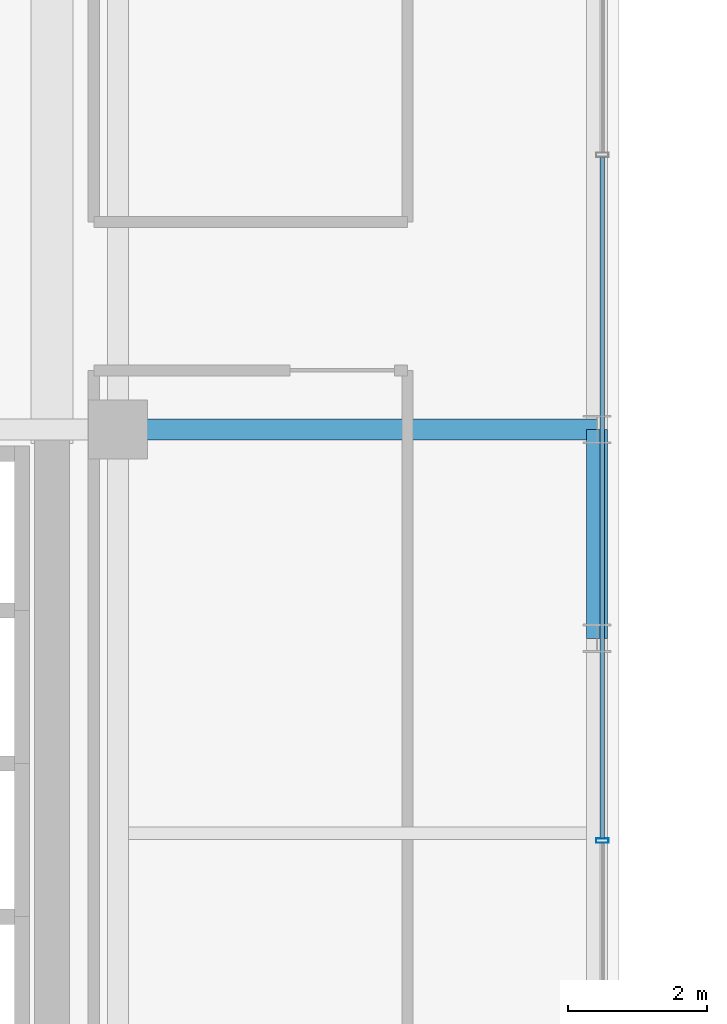
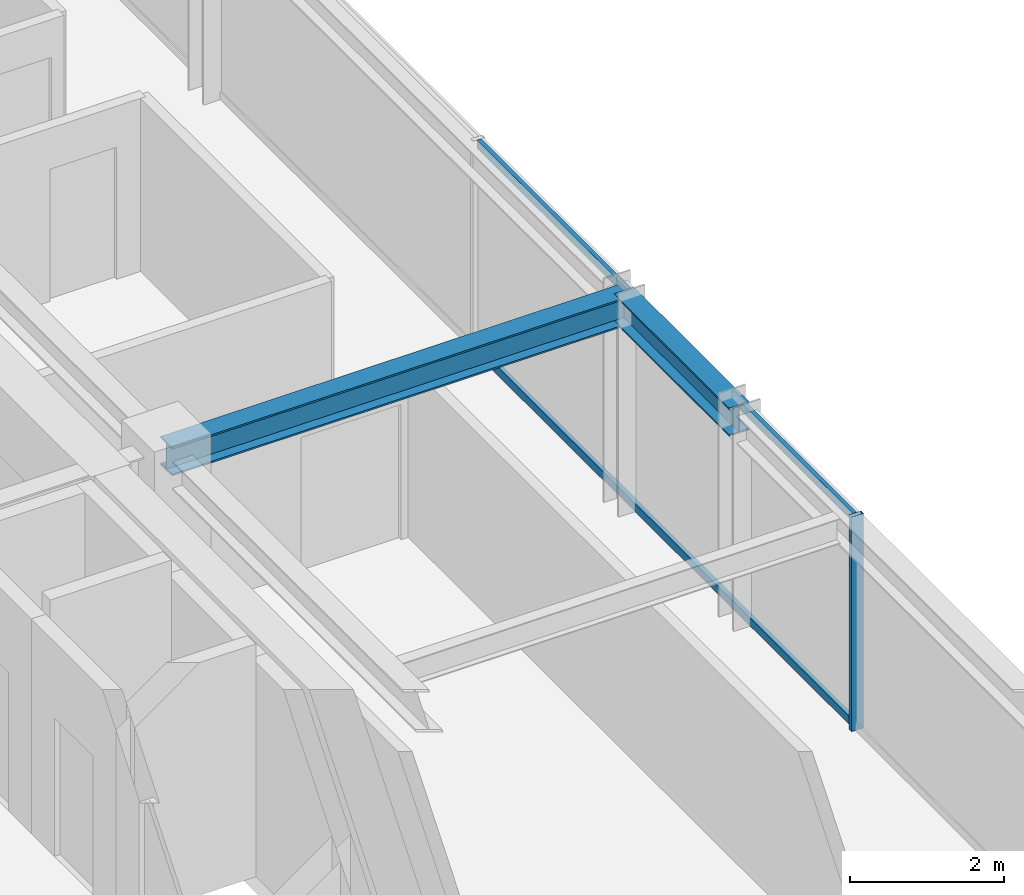
# One storey, part 15 of 36: 3 members, 2 beams, 1 element without a shape of its own.
"""IFC4 building model written with IfcOpenShell, lengths in metres."""

from ifc_helpers import new_model, si_unit, direction, frame, origin, origin_2d, place, context, subcontext, project, spatial, hollow_rectangle, i_section, extrude, source, transform, mapped, material, material_profile, profile_set, type_object, element, aggregate, save


model = new_model("IFC4")

# Units and contexts
model_context = context("Model", 3, precision=1e-05, world=origin(), true_north=direction((0.0, 1.0)))
body_context = subcontext(model_context, "Body", "Model", "MODEL_VIEW")
ifc_project = project(units=[si_unit("LENGTHUNIT", "METRE"), si_unit("AREAUNIT", "SQUARE_METRE"), si_unit("VOLUMEUNIT", "CUBIC_METRE"), si_unit("PLANEANGLEUNIT", "RADIAN"), si_unit("MASSUNIT", "GRAM", prefix="KILO")], contexts=[model_context])

# Site, building, storey
site_placement = place(None, origin())
site = spatial("IfcSite", under=ifc_project, at=site_placement, CompositionType="ELEMENT")
building_placement = place(site_placement, origin())
building = spatial("IfcBuilding", under=site, at=building_placement, Name="Nahalor Promenade Grand Hotel", CompositionType="ELEMENT")
storey_placement = place(building_placement, frame((0.0, 0.0, 253.0)))
storey = spatial("IfcBuildingStorey", under=building, at=storey_placement, Name="L65", CompositionType="ELEMENT", Elevation=253.0)

# Beams
ifc_material_1 = material(Name="Steel S355JR", Category="steel")
ifc_material_profile_1 = material_profile(ifc_material_1, i_section(OverallWidth=0.3, OverallDepth=0.45, WebThickness=0.014, FlangeThickness=0.026, at=origin_2d()), Name="HEB 450")
ifc_profile_set_1 = profile_set([ifc_material_profile_1], Name="Steel S355JR")
beam_type_1 = type_object("IfcBeamType", Name="Beam-Spandrel-HEB450", PredefinedType="SPANDREL", material=ifc_profile_set_1)
shared_shape_1 = source(origin(), body_context, "Body", "SweptSolid", [
    extrude(i_section(OverallWidth=0.3, OverallDepth=0.45, WebThickness=0.014, FlangeThickness=0.026, at=origin_2d()), origin(), (0.0, 0.0, 1.0), 3.0),
])
beam_1_placement = place(storey_placement, frame((23.8798828125, -8.39990234375, 3.18505859375), z_axis=(0.0, 1.0, 0.0), x_axis=(-1.0, 0.0, 0.0)))
element("IfcBeam", 1, at=beam_1_placement, inside=storey, type_object=beam_type_1, Name="BM-L65-SP-E-1", PredefinedType="SPANDREL", context=body_context, shape_type="MappedRepresentation", body=[
    mapped(shared_shape_1, transform((0.0, 0.0, 0.0), scale=1.0)),
])
ifc_material_profile_2 = material_profile(ifc_material_1, i_section(OverallWidth=0.3, OverallDepth=0.45, WebThickness=0.014, FlangeThickness=0.026, at=origin_2d()), Name="HEB 450")
ifc_profile_set_2 = profile_set([ifc_material_profile_2], Name="Steel S355JR")
beam_type_2 = type_object("IfcBeamType", Name="Beam-Girder-HEB450", PredefinedType="BEAM", material=ifc_profile_set_2)
shared_shape_2 = source(origin(), body_context, "Body", "SweptSolid", [
    extrude(i_section(OverallWidth=0.3, OverallDepth=0.45, WebThickness=0.014, FlangeThickness=0.026, at=origin_2d()), origin(), (0.0, 0.0, 1.0), 6.8798828125),
])
beam_2_placement = place(storey_placement, frame((17.0, -5.39990234375, 3.18505859375), z_axis=(1.0, 0.0, 0.0), x_axis=(0.0, 1.0, 0.0)))
element("IfcBeam", 2, at=beam_2_placement, inside=storey, type_object=beam_type_2, Name="BM-L65-GX-1-6", PredefinedType="BEAM", context=body_context, shape_type="MappedRepresentation", body=[
    mapped(shared_shape_2, transform((0.0, 0.0, 0.0), scale=1.0)),
])

# Curtain wall, members
ifc_material_2 = material(Name="Anodised Bronze Aluminium EN AW-6063 T6", Category="aluminium")
curtain_wall_type = type_object("IfcCurtainWallType", Name="CW2 Typical Hotel Flush Bronze Unitised Curtain Wall", PredefinedType="USERDEFINED", material=ifc_material_2)
curtain_wall_placement = place(storey_placement, origin())
curtain_wall = element("IfcCurtainWall", 3, at=curtain_wall_placement, inside=storey, type_object=curtain_wall_type, Name="L65 Curtain Wall CW-L65-E-1", ObjectType="UNITISED_CURTAIN_WALL", PredefinedType="USERDEFINED")
ifc_material_profile_3 = material_profile(ifc_material_2, hollow_rectangle(XDim=0.065, YDim=0.13, WallThickness=0.004, at=origin_2d()), Name="CWT 65x130x4")
ifc_profile_set_3 = profile_set([ifc_material_profile_3], Name="Anodised Bronze Aluminium EN AW-6063 T6")
member_type_1 = type_object("IfcMemberType", Name="CWT2 Typical Bronze Transom 65x130", PredefinedType="USERDEFINED", material=ifc_profile_set_3)
shared_shape_3 = source(origin(), body_context, "Body", "SweptSolid", [
    extrude(hollow_rectangle(XDim=0.065, YDim=0.13, WallThickness=0.004, at=origin_2d()), origin(), (0.0, 0.0, 1.0), 9.788330078125),
])
member_1_placement = place(storey_placement, frame((23.9599609375, -11.274169921875, 0.06494140625), z_axis=(0.0, 1.0, 0.0), x_axis=(-1.0, 0.0, 0.0)))
member_1 = element("IfcMember", 4, at=member_1_placement, type_object=member_type_1, Name="CW-L65-E-1 Transom 1-0", ObjectType="TRANSOM", PredefinedType="USERDEFINED", context=body_context, shape_type="MappedRepresentation", body=[
    mapped(shared_shape_3, transform((0.0, 0.0, 0.0), scale=1.0)),
])
member_2_placement = place(storey_placement, frame((23.9599609375, -11.274169921875, 3.344970703125), z_axis=(0.0, 1.0, 0.0), x_axis=(-1.0, 0.0, 0.0)))
member_2 = element("IfcMember", 5, at=member_2_placement, type_object=member_type_1, Name="CW-L65-E-1 Transom 1-1", ObjectType="TRANSOM", PredefinedType="USERDEFINED", context=body_context, shape_type="MappedRepresentation", body=[
    mapped(shared_shape_3, transform((0.0, 0.0, 0.0), scale=1.0)),
])
ifc_material_profile_4 = material_profile(ifc_material_2, hollow_rectangle(XDim=0.065, YDim=0.18, WallThickness=0.004, at=origin_2d()), Name="CWM 65x180x4")
ifc_profile_set_4 = profile_set([ifc_material_profile_4], Name="Anodised Bronze Aluminium EN AW-6063 T6")
member_type_2 = type_object("IfcMemberType", Name="CWM2 Typical Bronze Mullion 65x180", PredefinedType="MULLION", material=ifc_profile_set_4)
shared_shape_4 = source(origin(), body_context, "Body", "SweptSolid", [
    extrude(hollow_rectangle(XDim=0.065, YDim=0.18, WallThickness=0.004, at=origin_2d()), origin(), (0.0, 0.0, 1.0), 3.409912109375),
])
member_3_placement = place(storey_placement, frame((23.9599609375, -11.306640625, 0.0), z_axis=(0.0, 0.0, 1.0), x_axis=(0.0, 1.0, 0.0)))
member_3 = element("IfcMember", 6, at=member_3_placement, type_object=member_type_2, Name="CW-L65-E-1 Mullion 1", PredefinedType="MULLION", context=body_context, shape_type="MappedRepresentation", body=[
    mapped(shared_shape_4, transform((0.0, 0.0, 0.0), scale=1.0)),
])
aggregate(curtain_wall, [member_3, member_1, member_2])

save(model, "model.ifc")
